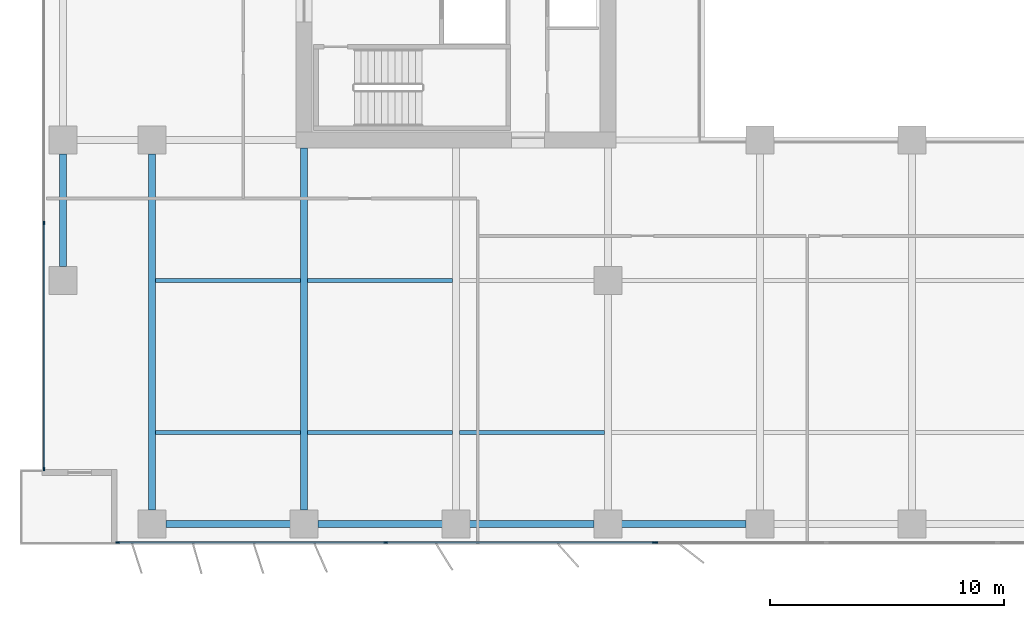
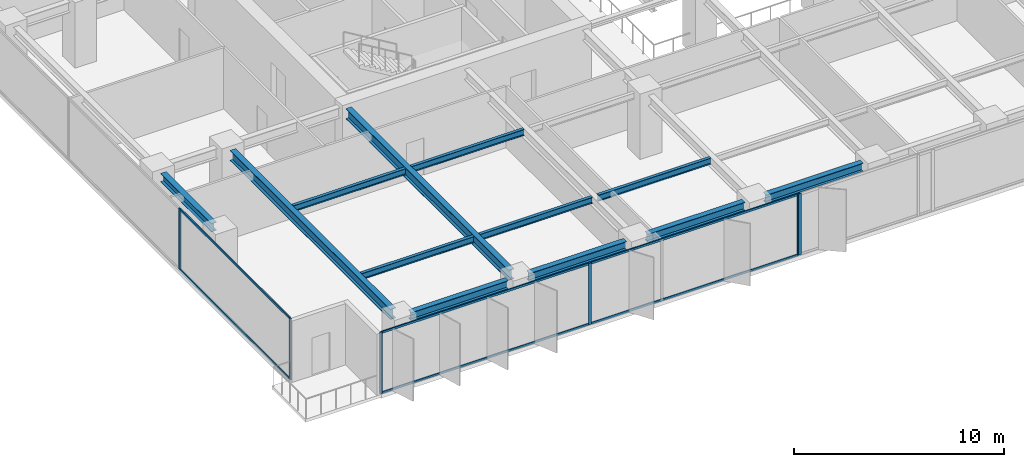
# One storey, part 2 of 20: 12 beams, 12 members, 3 elements without a shape of their own.
"""IFC4 building model written with IfcOpenShell, lengths in metres."""

from ifc_helpers import new_model, si_unit, direction, frame, origin, origin_2d, place, context, subcontext, project, spatial, rectangle, i_section, extrude, material, layer, layer_set, material_profile, profile_set, type_object, element, aggregate, save


model = new_model("IFC4")

# Units and contexts
model_context = context("Model", 3, precision=1e-05, world=origin(), true_north=direction((0.0, 1.0)))
body_context = subcontext(model_context, "Body", "Model", "MODEL_VIEW")
ifc_project = project(units=[si_unit("LENGTHUNIT", "METRE"), si_unit("AREAUNIT", "SQUARE_METRE"), si_unit("VOLUMEUNIT", "CUBIC_METRE"), si_unit("PLANEANGLEUNIT", "RADIAN"), si_unit("MASSUNIT", "GRAM", prefix="KILO")], contexts=[model_context])

# Site, building, storey
site_placement = place(None, origin())
site = spatial("IfcSite", under=ifc_project, at=site_placement, CompositionType="ELEMENT")
building_placement = place(site_placement, origin())
building = spatial("IfcBuilding", under=site, at=building_placement, Name="Putna Gate Headquarters", CompositionType="ELEMENT")
storey_placement = place(building_placement, frame((0.0, 0.0, 105.0)))
storey = spatial("IfcBuildingStorey", under=building, at=storey_placement, Name="L25", CompositionType="ELEMENT", Elevation=105.0)

# Beams
ifc_material_1 = material(Name="Steel S355J2", Category="steel")
ifc_material_profile_1 = material_profile(ifc_material_1, i_section(OverallWidth=0.300048828125, OverallDepth=0.60009765625, WebThickness=0.015380859375, FlangeThickness=0.030029296875, at=origin_2d()), Name="Steel S355J2")
ifc_profile_set_1 = profile_set([ifc_material_profile_1], Name="Steel S355J2")
beam_type_1 = type_object("IfcBeamType", Name="BM-GIRD-Z2-HEB600", PredefinedType="USERDEFINED", material=ifc_profile_set_1)
beam_1_placement = place(storey_placement, frame((6.5, 3.16796875, 3.264892578125), z_axis=(0.0, 1.0, 0.0), x_axis=(-1.0, 0.0, 0.0)))
element("IfcBeam", 1, at=beam_1_placement, inside=storey, type_object=beam_type_1, Name="L25 South Primary Girder X6", ObjectType="GIRDER", PredefinedType="USERDEFINED", context=body_context, shape_type="SweptSolid", body=[
    extrude(i_section(OverallWidth=0.300048828125, OverallDepth=0.60009765625, WebThickness=0.015380859375, FlangeThickness=0.030029296875, at=origin_2d()), origin(), (0.0, 0.0, 1.0), 15.244140625),
])
beam_2_placement = place(storey_placement, frame((13.0, 3.16796875, 3.264892578125), z_axis=(0.0, 1.0, 0.0), x_axis=(-1.0, 0.0, 0.0)))
element("IfcBeam", 2, at=beam_2_placement, inside=storey, type_object=beam_type_1, Name="L25 South Primary Girder X13", ObjectType="GIRDER", PredefinedType="USERDEFINED", context=body_context, shape_type="SweptSolid", body=[
    extrude(i_section(OverallWidth=0.300048828125, OverallDepth=0.60009765625, WebThickness=0.015380859375, FlangeThickness=0.030029296875, at=origin_2d()), origin(), (0.0, 0.0, 1.0), 15.4970703125),
])
ifc_material_profile_2 = material_profile(ifc_material_1, i_section(OverallWidth=0.169921875, OverallDepth=0.360107421875, WebThickness=0.008056640625, FlangeThickness=0.0126953125, at=origin_2d()), Name="Steel S355J2")
ifc_profile_set_2 = profile_set([ifc_material_profile_2], Name="Steel S355J2")
beam_type_2 = type_object("IfcBeamType", Name="BM-SEC-Z2-IPE360", PredefinedType="BEAM", material=ifc_profile_set_2)
for number, where, z_axis, x_axis, name in (
    (3, (6.654052734375, 6.5, 3.385009765625), (1.0, 0.0, 0.0), (0.0, 1.0, 0.0), "L25 South Secondary Beam 1"),
    (4, (6.654052734375, 13.0, 3.385009765625), (1.0, 0.0, 0.0), (0.0, 1.0, 0.0), "L25 South Secondary Beam 1"),
    (5, (13.154052734375, 6.5, 3.385009765625), (1.0, 0.0, 0.0), (0.0, 1.0, 0.0), "L25 South Secondary Beam 2"),
    (6, (13.154052734375, 13.0, 3.385009765625), (1.0, 0.0, 0.0), (0.0, 1.0, 0.0), "L25 South Secondary Beam 2"),
    (7, (19.654052734375, 6.5, 3.385009765625), (1.0, 0.0, 0.0), (0.0, 1.0, 0.0), "L25 South Secondary Beam 3"),
):
    element("IfcBeam", number, at=place(storey_placement, frame(where, z_axis=z_axis, x_axis=x_axis)), inside=storey, type_object=beam_type_2, Name=name, PredefinedType="BEAM", context=body_context, shape_type="SweptSolid", body=[
        extrude(i_section(OverallWidth=0.169921875, OverallDepth=0.360107421875, WebThickness=0.008056640625, FlangeThickness=0.0126953125, at=origin_2d()), origin(), (0.0, 0.0, 1.0), 6.19189453125),
    ])
ifc_material_profile_3 = material_profile(ifc_material_1, i_section(OverallWidth=0.300048828125, OverallDepth=0.489990234375, WebThickness=0.011962890625, FlangeThickness=0.02294921875, at=origin_2d()), Name="Steel S355J2")
ifc_profile_set_3 = profile_set([ifc_material_profile_3], Name="Steel S355J2")
beam_type_3 = type_object("IfcBeamType", Name="BM-SPAN-Z2-HEA500", PredefinedType="SPANDREL", material=ifc_profile_set_3)
for number, where, z_axis, x_axis, name in (
    (8, (7.087890625, 2.580078125, 3.320068359375), (1.0, 0.0, 0.0), (0.0, 1.0, 0.0), "L25 S Perimeter Spandrel 1"),
    (9, (13.587890625, 2.580078125, 3.320068359375), (1.0, 0.0, 0.0), (0.0, 1.0, 0.0), "L25 S Perimeter Spandrel 2"),
    (10, (20.087890625, 2.580078125, 3.320068359375), (1.0, 0.0, 0.0), (0.0, 1.0, 0.0), "L25 S Perimeter Spandrel 3"),
    (11, (26.587890625, 2.580078125, 3.320068359375), (1.0, 0.0, 0.0), (0.0, 1.0, 0.0), "L25 S Perimeter Spandrel 4"),
):
    element("IfcBeam", number, at=place(storey_placement, frame(where, z_axis=z_axis, x_axis=x_axis)), inside=storey, type_object=beam_type_3, Name=name, PredefinedType="SPANDREL", context=body_context, shape_type="SweptSolid", body=[
        extrude(i_section(OverallWidth=0.300048828125, OverallDepth=0.489990234375, WebThickness=0.011962890625, FlangeThickness=0.02294921875, at=origin_2d()), origin(), (0.0, 0.0, 1.0), 5.32421875),
    ])
beam_3_placement = place(storey_placement, frame((2.679931640625, 13.587890625, 3.320068359375), z_axis=(0.0, 1.0, 0.0), x_axis=(-1.0, 0.0, 0.0)))
element("IfcBeam", 12, at=beam_3_placement, inside=storey, type_object=beam_type_3, Name="L25 W End Spandrel 1", PredefinedType="SPANDREL", context=body_context, shape_type="SweptSolid", body=[
    extrude(i_section(OverallWidth=0.300048828125, OverallDepth=0.489990234375, WebThickness=0.011962890625, FlangeThickness=0.02294921875, at=origin_2d()), origin(), (0.0, 0.0, 1.0), 4.82421875),
])

# Curtain wall, members
ifc_material_2 = material(Name="Anodised bronze aluminium curtain wall", Category="aluminium")
ifc_layer_1 = layer(ifc_material_2, 0.159912109375)
ifc_layer_set_1 = layer_set([ifc_layer_1], Name="Anodised bronze aluminium curtain wall")
curtain_wall_type_1 = type_object("IfcCurtainWallType", Name="CW-SYS-Z2", PredefinedType="USERDEFINED", material=ifc_layer_set_1)
curtain_wall_1_placement = place(storey_placement, origin())
curtain_wall_1 = element("IfcCurtainWall", 13, at=curtain_wall_1_placement, inside=storey, type_object=curtain_wall_type_1, Name="L25 South West Curtain Wall", ObjectType="STICK CURTAIN WALL", PredefinedType="USERDEFINED")
ifc_material_3 = material(Name="Anodised bronze aluminium EN AW-6060", Category="aluminium")
ifc_material_profile_4 = material_profile(ifc_material_3, rectangle(XDim=0.06494140625, YDim=0.159912109375, at=origin_2d()), Name="Anodised bronze aluminium EN AW-6060")
ifc_profile_set_4 = profile_set([ifc_material_profile_4], Name="Anodised bronze aluminium EN AW-6060")
member_type_1 = type_object("IfcMemberType", Name="MULL-CWM-2", PredefinedType="MULLION", material=ifc_profile_set_4)
member_1_placement = place(storey_placement, frame((5.032470703125, 1.780029296875, 0.0), z_axis=(0.0, 0.0, 1.0), x_axis=(0.0, 1.0, 0.0)))
member_1 = element("IfcMember", 14, at=member_1_placement, type_object=member_type_1, Name="CWS-2 mullion 1", PredefinedType="MULLION", context=body_context, shape_type="SweptSolid", body=[
    extrude(rectangle(XDim=0.06494140625, YDim=0.159912109375, at=origin_2d()), origin(), (0.0, 0.0, 1.0), 3.56494140625),
])
member_2_placement = place(storey_placement, frame((16.5, 1.780029296875, 0.0), z_axis=(0.0, 0.0, 1.0), x_axis=(0.0, 1.0, 0.0)))
member_2 = element("IfcMember", 15, at=member_2_placement, type_object=member_type_1, Name="CWS-2 mullion 2", PredefinedType="MULLION", context=body_context, shape_type="SweptSolid", body=[
    extrude(rectangle(XDim=0.06494140625, YDim=0.159912109375, at=origin_2d()), origin(), (0.0, 0.0, 1.0), 3.56494140625),
])
member_3_placement = place(storey_placement, frame((27.967529296875, 1.780029296875, 0.0), z_axis=(0.0, 0.0, 1.0), x_axis=(0.0, 1.0, 0.0)))
member_3 = element("IfcMember", 16, at=member_3_placement, type_object=member_type_1, Name="CWS-2 mullion 3", PredefinedType="MULLION", context=body_context, shape_type="SweptSolid", body=[
    extrude(rectangle(XDim=0.06494140625, YDim=0.159912109375, at=origin_2d()), origin(), (0.0, 0.0, 1.0), 3.56494140625),
])

curtain_wall_2_placement = place(storey_placement, origin())
curtain_wall_2 = element("IfcCurtainWall", 17, at=curtain_wall_2_placement, inside=storey, type_object=curtain_wall_type_1, Name="L25 West Curtain Wall", ObjectType="STICK CURTAIN WALL", PredefinedType="USERDEFINED")
member_4_placement = place(storey_placement, frame((1.8798828125, 4.9326171875, 0.0), z_axis=(0.0, 0.0, 1.0), x_axis=(-1.0, 0.0, 0.0)))
member_4 = element("IfcMember", 18, at=member_4_placement, type_object=member_type_1, Name="CWS-2 mullion 1", PredefinedType="MULLION", context=body_context, shape_type="SweptSolid", body=[
    extrude(rectangle(XDim=0.06494140625, YDim=0.159912109375, at=origin_2d()), origin(), (0.0, 0.0, 1.0), 3.56494140625),
])
member_5_placement = place(storey_placement, frame((1.8798828125, 15.449951171875, 0.0), z_axis=(0.0, 0.0, 1.0), x_axis=(-1.0, 0.0, 0.0)))
member_5 = element("IfcMember", 19, at=member_5_placement, type_object=member_type_1, Name="CWS-2 mullion 2", PredefinedType="MULLION", context=body_context, shape_type="SweptSolid", body=[
    extrude(rectangle(XDim=0.06494140625, YDim=0.159912109375, at=origin_2d()), origin(), (0.0, 0.0, 1.0), 3.56494140625),
])

# Curtain wall, member
ifc_layer_2 = layer(ifc_material_2, 0.179931640625)
ifc_layer_set_2 = layer_set([ifc_layer_2], Name="Anodised bronze aluminium curtain wall")
curtain_wall_type_2 = type_object("IfcCurtainWallType", Name="CW-SYS-ATR", PredefinedType="USERDEFINED", material=ifc_layer_set_2)
curtain_wall_3_placement = place(storey_placement, origin())
curtain_wall_3 = element("IfcCurtainWall", 20, at=curtain_wall_3_placement, inside=storey, type_object=curtain_wall_type_2, Name="L25 South Atrium Clear Glazing", ObjectType="ATRIUM GLAZING", PredefinedType="USERDEFINED")
ifc_material_profile_5 = material_profile(ifc_material_3, rectangle(XDim=0.070068359375, YDim=0.179931640625, at=origin_2d()), Name="Anodised bronze aluminium EN AW-6060")
ifc_profile_set_5 = profile_set([ifc_material_profile_5], Name="Anodised bronze aluminium EN AW-6060")
member_type_2 = type_object("IfcMemberType", Name="MULL-CWM-AT", PredefinedType="MULLION", material=ifc_profile_set_5)
member_6_placement = place(storey_placement, frame((28.034912109375, 1.780029296875, 0.0), z_axis=(0.0, 0.0, 1.0), x_axis=(0.0, 1.0, 0.0)))
member_6 = element("IfcMember", 21, at=member_6_placement, type_object=member_type_2, Name="CWS-AT mullion 1", PredefinedType="MULLION", context=body_context, shape_type="SweptSolid", body=[
    extrude(rectangle(XDim=0.070068359375, YDim=0.179931640625, at=origin_2d()), origin(), (0.0, 0.0, 1.0), 3.56494140625),
])
aggregate(curtain_wall_3, [member_6])

# Member
ifc_material_profile_6 = material_profile(ifc_material_3, rectangle(XDim=0.06494140625, YDim=0.1201171875, at=origin_2d()), Name="Anodised bronze aluminium EN AW-6060")
ifc_profile_set_6 = profile_set([ifc_material_profile_6], Name="Anodised bronze aluminium EN AW-6060")
member_type_3 = type_object("IfcMemberType", Name="TRAN-CWT-2", PredefinedType="USERDEFINED", material=ifc_profile_set_6)
member_7_placement = place(storey_placement, frame((5.06494140625, 1.780029296875, 0.032470703125), z_axis=(1.0, 0.0, 0.0), x_axis=(0.0, 1.0, 0.0)))
member_7 = element("IfcMember", 22, at=member_7_placement, type_object=member_type_3, Name="CWS-2 transom 1.1", ObjectType="TRANSOM", PredefinedType="USERDEFINED", context=body_context, shape_type="SweptSolid", body=[
    extrude(rectangle(XDim=0.06494140625, YDim=0.1201171875, at=origin_2d()), origin(), (0.0, 0.0, 1.0), 11.402587890625),
])

member_8_placement = place(storey_placement, frame((5.06494140625, 1.780029296875, 3.532470703125), z_axis=(1.0, 0.0, 0.0), x_axis=(0.0, 1.0, 0.0)))
member_8 = element("IfcMember", 23, at=member_8_placement, type_object=member_type_3, Name="CWS-2 transom 1.2", ObjectType="TRANSOM", PredefinedType="USERDEFINED", context=body_context, shape_type="SweptSolid", body=[
    extrude(rectangle(XDim=0.06494140625, YDim=0.1201171875, at=origin_2d()), origin(), (0.0, 0.0, 1.0), 11.402587890625),
])

member_9_placement = place(storey_placement, frame((16.532470703125, 1.780029296875, 0.032470703125), z_axis=(1.0, 0.0, 0.0), x_axis=(0.0, 1.0, 0.0)))
member_9 = element("IfcMember", 24, at=member_9_placement, type_object=member_type_3, Name="CWS-2 transom 2.1", ObjectType="TRANSOM", PredefinedType="USERDEFINED", context=body_context, shape_type="SweptSolid", body=[
    extrude(rectangle(XDim=0.06494140625, YDim=0.1201171875, at=origin_2d()), origin(), (0.0, 0.0, 1.0), 11.402587890625),
])

member_10_placement = place(storey_placement, frame((16.532470703125, 1.780029296875, 3.532470703125), z_axis=(1.0, 0.0, 0.0), x_axis=(0.0, 1.0, 0.0)))
member_10 = element("IfcMember", 25, at=member_10_placement, type_object=member_type_3, Name="CWS-2 transom 2.2", ObjectType="TRANSOM", PredefinedType="USERDEFINED", context=body_context, shape_type="SweptSolid", body=[
    extrude(rectangle(XDim=0.06494140625, YDim=0.1201171875, at=origin_2d()), origin(), (0.0, 0.0, 1.0), 11.402587890625),
])

aggregate(curtain_wall_1, [member_1, member_2, member_3, member_7, member_8, member_9, member_10])

member_11_placement = place(storey_placement, frame((1.8798828125, 4.965087890625, 0.032470703125), z_axis=(0.0, 1.0, 0.0), x_axis=(-1.0, 0.0, 0.0)))
member_11 = element("IfcMember", 26, at=member_11_placement, type_object=member_type_3, Name="CWS-2 transom 1.1", ObjectType="TRANSOM", PredefinedType="USERDEFINED", context=body_context, shape_type="SweptSolid", body=[
    extrude(rectangle(XDim=0.06494140625, YDim=0.1201171875, at=origin_2d()), origin(), (0.0, 0.0, 1.0), 10.452392578125),
])

member_12_placement = place(storey_placement, frame((1.8798828125, 4.965087890625, 3.532470703125), z_axis=(0.0, 1.0, 0.0), x_axis=(-1.0, 0.0, 0.0)))
member_12 = element("IfcMember", 27, at=member_12_placement, type_object=member_type_3, Name="CWS-2 transom 1.2", ObjectType="TRANSOM", PredefinedType="USERDEFINED", context=body_context, shape_type="SweptSolid", body=[
    extrude(rectangle(XDim=0.06494140625, YDim=0.1201171875, at=origin_2d()), origin(), (0.0, 0.0, 1.0), 10.452392578125),
])

aggregate(curtain_wall_2, [member_4, member_5, member_11, member_12])

save(model, "model.ifc")
